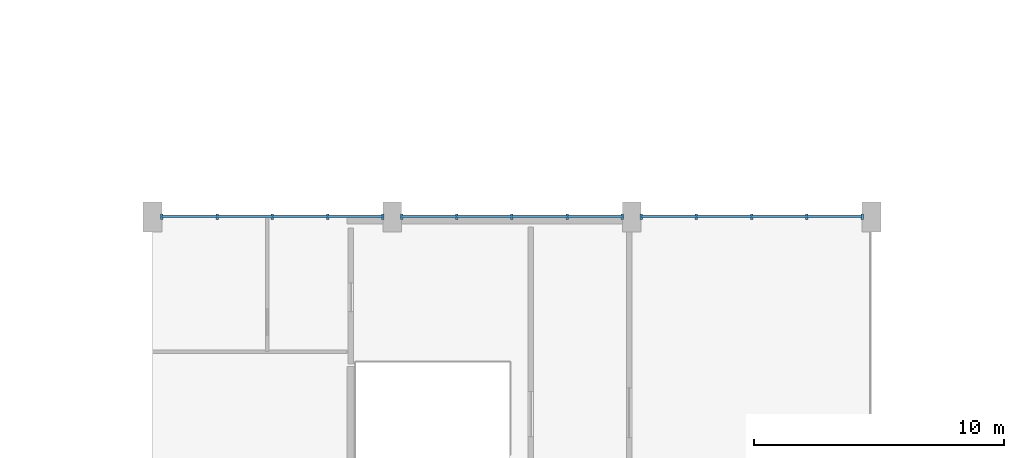
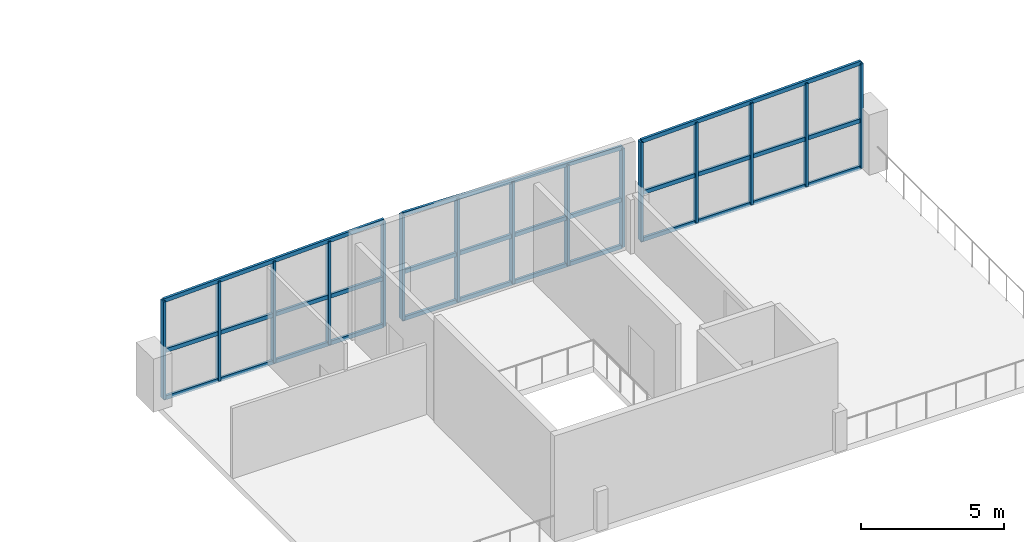
# One storey, part 9 of 22: 42 members, 3 elements without a shape of their own.
"""IFC4 building model written with IfcOpenShell, lengths in metres."""

from ifc_helpers import new_model, si_unit, direction, frame, origin, origin_2d, place, context, subcontext, project, spatial, rectangle, extrude, material, material_profile, profile_set, type_object, element, aggregate, save


model = new_model("IFC4")

# Units and contexts
model_context = context("Model", 3, precision=1e-05, world=origin(), true_north=direction((0.0, 1.0)))
body_context = subcontext(model_context, "Body", "Model", "MODEL_VIEW")
ifc_project = project(units=[si_unit("LENGTHUNIT", "METRE"), si_unit("AREAUNIT", "SQUARE_METRE"), si_unit("VOLUMEUNIT", "CUBIC_METRE"), si_unit("PLANEANGLEUNIT", "RADIAN"), si_unit("MASSUNIT", "GRAM", prefix="KILO")], contexts=[model_context])

# Site, building, storey
site_placement = place(None, origin())
site = spatial("IfcSite", under=ifc_project, at=site_placement, CompositionType="ELEMENT")
building_placement = place(site_placement, origin())
building = spatial("IfcBuilding", under=site, at=building_placement, Name="Suirenkawa Promenade Aquatics Centre", CompositionType="ELEMENT")
storey_placement = place(building_placement, frame((0.0, 0.0, 14.10009765625)))
storey = spatial("IfcBuildingStorey", under=building, at=storey_placement, Name="L03", CompositionType="ELEMENT", Elevation=14.10009765625)

# Curtain wall, members
ifc_material = material(Name="Anodised aluminium 6063-T6", Category="aluminium")
curtain_wall_type = type_object("IfcCurtainWallType", Name="CWAT-V2N-17", PredefinedType="NOTDEFINED", material=ifc_material)
curtain_wall_1_placement = place(storey_placement, origin())
curtain_wall_1 = element("IfcCurtainWall", 1, at=curtain_wall_1_placement, inside=storey, type_object=curtain_wall_type, Name="Curtain wall CWA-17 CW-036", PredefinedType="NOTDEFINED")
ifc_material_profile_1 = material_profile(ifc_material, rectangle(XDim=0.10009765625, YDim=0.219970703125, at=origin_2d()), Name="ALU MULL 100x220", Category="aluminium")
ifc_profile_set_1 = profile_set([ifc_material_profile_1], Name="Anodised aluminium 6063-T6")
member_type_1 = type_object("IfcMemberType", Name="CWM-220x100", PredefinedType="MULLION", material=ifc_profile_set_1)
member_1_placement = place(storey_placement, frame((156.3740234375, 100.800048828125, 0.0), z_axis=(0.0, 0.0, 1.0), x_axis=(1.0, 0.0, 0.0)))
member_1 = element("IfcMember", 2, at=member_1_placement, type_object=member_type_1, Name="Mullion ML-01 CWM-00739", PredefinedType="MULLION", context=body_context, shape_type="SweptSolid", body=[
    extrude(rectangle(XDim=0.10009765625, YDim=0.219970703125, at=origin_2d()), origin(), (0.0, 0.0, 1.0), 4.14990234375),
])
member_2_placement = place(storey_placement, frame((158.5869140625, 100.800048828125, 0.0), z_axis=(0.0, 0.0, 1.0), x_axis=(1.0, 0.0, 0.0)))
member_2 = element("IfcMember", 3, at=member_2_placement, type_object=member_type_1, Name="Mullion ML-01 CWM-00740", PredefinedType="MULLION", context=body_context, shape_type="SweptSolid", body=[
    extrude(rectangle(XDim=0.10009765625, YDim=0.219970703125, at=origin_2d()), origin(), (0.0, 0.0, 1.0), 4.224853515625),
])
member_3_placement = place(storey_placement, frame((160.800048828125, 100.800048828125, 0.0), z_axis=(0.0, 0.0, 1.0), x_axis=(1.0, 0.0, 0.0)))
member_3 = element("IfcMember", 4, at=member_3_placement, type_object=member_type_1, Name="Mullion ML-01 CWM-00741", PredefinedType="MULLION", context=body_context, shape_type="SweptSolid", body=[
    extrude(rectangle(XDim=0.10009765625, YDim=0.219970703125, at=origin_2d()), origin(), (0.0, 0.0, 1.0), 4.2998046875),
])
member_4_placement = place(storey_placement, frame((163.012939453125, 100.800048828125, 0.0), z_axis=(0.0, 0.0, 1.0), x_axis=(1.0, 0.0, 0.0)))
member_4 = element("IfcMember", 5, at=member_4_placement, type_object=member_type_1, Name="Mullion ML-01 CWM-00742", PredefinedType="MULLION", context=body_context, shape_type="SweptSolid", body=[
    extrude(rectangle(XDim=0.10009765625, YDim=0.219970703125, at=origin_2d()), origin(), (0.0, 0.0, 1.0), 4.375),
])
member_5_placement = place(storey_placement, frame((165.22607421875, 100.800048828125, 0.0), z_axis=(0.0, 0.0, 1.0), x_axis=(1.0, 0.0, 0.0)))
member_5 = element("IfcMember", 6, at=member_5_placement, type_object=member_type_1, Name="Mullion ML-01 CWM-00743", PredefinedType="MULLION", context=body_context, shape_type="SweptSolid", body=[
    extrude(rectangle(XDim=0.10009765625, YDim=0.219970703125, at=origin_2d()), origin(), (0.0, 0.0, 1.0), 4.449951171875),
])

curtain_wall_2_placement = place(storey_placement, origin())
curtain_wall_2 = element("IfcCurtainWall", 7, at=curtain_wall_2_placement, inside=storey, type_object=curtain_wall_type, Name="Curtain wall CWA-17 CW-040", PredefinedType="NOTDEFINED")
member_6_placement = place(storey_placement, frame((165.97412109375, 100.800048828125, 0.0), z_axis=(0.0, 0.0, 1.0), x_axis=(1.0, 0.0, 0.0)))
member_6 = element("IfcMember", 8, at=member_6_placement, type_object=member_type_1, Name="Mullion ML-01 CWM-00817", PredefinedType="MULLION", context=body_context, shape_type="SweptSolid", body=[
    extrude(rectangle(XDim=0.10009765625, YDim=0.219970703125, at=origin_2d()), origin(), (0.0, 0.0, 1.0), 4.449951171875),
])
member_7_placement = place(storey_placement, frame((168.18701171875, 100.800048828125, 0.0), z_axis=(0.0, 0.0, 1.0), x_axis=(1.0, 0.0, 0.0)))
member_7 = element("IfcMember", 9, at=member_7_placement, type_object=member_type_1, Name="Mullion ML-01 CWM-00818", PredefinedType="MULLION", context=body_context, shape_type="SweptSolid", body=[
    extrude(rectangle(XDim=0.10009765625, YDim=0.219970703125, at=origin_2d()), origin(), (0.0, 0.0, 1.0), 4.387451171875),
])
member_8_placement = place(storey_placement, frame((170.39990234375, 100.800048828125, 0.0), z_axis=(0.0, 0.0, 1.0), x_axis=(1.0, 0.0, 0.0)))
member_8 = element("IfcMember", 10, at=member_8_placement, type_object=member_type_1, Name="Mullion ML-01 CWM-00819", PredefinedType="MULLION", context=body_context, shape_type="SweptSolid", body=[
    extrude(rectangle(XDim=0.10009765625, YDim=0.219970703125, at=origin_2d()), origin(), (0.0, 0.0, 1.0), 4.324951171875),
])
member_9_placement = place(storey_placement, frame((172.613037109375, 100.800048828125, 0.0), z_axis=(0.0, 0.0, 1.0), x_axis=(1.0, 0.0, 0.0)))
member_9 = element("IfcMember", 11, at=member_9_placement, type_object=member_type_1, Name="Mullion ML-01 CWM-00820", PredefinedType="MULLION", context=body_context, shape_type="SweptSolid", body=[
    extrude(rectangle(XDim=0.10009765625, YDim=0.219970703125, at=origin_2d()), origin(), (0.0, 0.0, 1.0), 4.262451171875),
])
member_10_placement = place(storey_placement, frame((174.825927734375, 100.800048828125, 0.0), z_axis=(0.0, 0.0, 1.0), x_axis=(1.0, 0.0, 0.0)))
member_10 = element("IfcMember", 12, at=member_10_placement, type_object=member_type_1, Name="Mullion ML-01 CWM-00821", PredefinedType="MULLION", context=body_context, shape_type="SweptSolid", body=[
    extrude(rectangle(XDim=0.10009765625, YDim=0.219970703125, at=origin_2d()), origin(), (0.0, 0.0, 1.0), 4.199951171875),
])

curtain_wall_3_placement = place(storey_placement, origin())
curtain_wall_3 = element("IfcCurtainWall", 13, at=curtain_wall_3_placement, inside=storey, type_object=curtain_wall_type, Name="Curtain wall CWA-17 CW-042", PredefinedType="NOTDEFINED")
member_11_placement = place(storey_placement, frame((175.573974609375, 100.800048828125, 0.0), z_axis=(0.0, 0.0, 1.0), x_axis=(1.0, 0.0, 0.0)))
member_11 = element("IfcMember", 14, at=member_11_placement, type_object=member_type_1, Name="Mullion ML-01 CWM-00861", PredefinedType="MULLION", context=body_context, shape_type="SweptSolid", body=[
    extrude(rectangle(XDim=0.10009765625, YDim=0.219970703125, at=origin_2d()), origin(), (0.0, 0.0, 1.0), 4.199951171875),
])
member_12_placement = place(storey_placement, frame((177.787109375, 100.800048828125, 0.0), z_axis=(0.0, 0.0, 1.0), x_axis=(1.0, 0.0, 0.0)))
member_12 = element("IfcMember", 15, at=member_12_placement, type_object=member_type_1, Name="Mullion ML-01 CWM-00862", PredefinedType="MULLION", context=body_context, shape_type="SweptSolid", body=[
    extrude(rectangle(XDim=0.10009765625, YDim=0.219970703125, at=origin_2d()), origin(), (0.0, 0.0, 1.0), 4.262451171875),
])
member_13_placement = place(storey_placement, frame((180.0, 100.800048828125, 0.0), z_axis=(0.0, 0.0, 1.0), x_axis=(1.0, 0.0, 0.0)))
member_13 = element("IfcMember", 16, at=member_13_placement, type_object=member_type_1, Name="Mullion ML-01 CWM-00863", PredefinedType="MULLION", context=body_context, shape_type="SweptSolid", body=[
    extrude(rectangle(XDim=0.10009765625, YDim=0.219970703125, at=origin_2d()), origin(), (0.0, 0.0, 1.0), 4.324951171875),
])
member_14_placement = place(storey_placement, frame((182.212890625, 100.800048828125, 0.0), z_axis=(0.0, 0.0, 1.0), x_axis=(1.0, 0.0, 0.0)))
member_14 = element("IfcMember", 17, at=member_14_placement, type_object=member_type_1, Name="Mullion ML-01 CWM-00864", PredefinedType="MULLION", context=body_context, shape_type="SweptSolid", body=[
    extrude(rectangle(XDim=0.10009765625, YDim=0.219970703125, at=origin_2d()), origin(), (0.0, 0.0, 1.0), 4.387451171875),
])
member_15_placement = place(storey_placement, frame((184.426025390625, 100.800048828125, 0.0), z_axis=(0.0, 0.0, 1.0), x_axis=(1.0, 0.0, 0.0)))
member_15 = element("IfcMember", 18, at=member_15_placement, type_object=member_type_1, Name="Mullion ML-01 CWM-00865", PredefinedType="MULLION", context=body_context, shape_type="SweptSolid", body=[
    extrude(rectangle(XDim=0.10009765625, YDim=0.219970703125, at=origin_2d()), origin(), (0.0, 0.0, 1.0), 4.449951171875),
])

# Member
ifc_material_profile_2 = material_profile(ifc_material, rectangle(XDim=0.10009765625, YDim=0.169921875, at=origin_2d()), Name="ALU TRAN 100x170", Category="aluminium")
ifc_profile_set_2 = profile_set([ifc_material_profile_2], Name="Anodised aluminium 6063-T6")
member_type_2 = type_object("IfcMemberType", Name="CWT-170x100", PredefinedType="USERDEFINED", material=ifc_profile_set_2)
member_16_placement = place(storey_placement, frame((156.3740234375, 100.800048828125, 0.0), z_axis=(1.0, 0.0, 0.0), x_axis=(0.0, 1.0, 0.0)))
member_16 = element("IfcMember", 19, at=member_16_placement, type_object=member_type_2, Name="Transom TR-01 CWT-00744", ObjectType="TRANSOM", PredefinedType="USERDEFINED", context=body_context, shape_type="SweptSolid", body=[
    extrude(rectangle(XDim=0.10009765625, YDim=0.169921875, at=origin_2d()), origin(), (0.0, 0.0, 1.0), 2.212890625),
])

member_17_placement = place(storey_placement, frame((158.5869140625, 100.800048828125, 0.0), z_axis=(1.0, 0.0, 0.0), x_axis=(0.0, 1.0, 0.0)))
member_17 = element("IfcMember", 20, at=member_17_placement, type_object=member_type_2, Name="Transom TR-01 CWT-00745", ObjectType="TRANSOM", PredefinedType="USERDEFINED", context=body_context, shape_type="SweptSolid", body=[
    extrude(rectangle(XDim=0.10009765625, YDim=0.169921875, at=origin_2d()), origin(), (0.0, 0.0, 1.0), 2.213134765625),
])

member_18_placement = place(storey_placement, frame((160.800048828125, 100.800048828125, 0.0), z_axis=(1.0, 0.0, 0.0), x_axis=(0.0, 1.0, 0.0)))
member_18 = element("IfcMember", 21, at=member_18_placement, type_object=member_type_2, Name="Transom TR-01 CWT-00746", ObjectType="TRANSOM", PredefinedType="USERDEFINED", context=body_context, shape_type="SweptSolid", body=[
    extrude(rectangle(XDim=0.10009765625, YDim=0.169921875, at=origin_2d()), origin(), (0.0, 0.0, 1.0), 2.212890625),
])

member_19_placement = place(storey_placement, frame((163.012939453125, 100.800048828125, 0.0), z_axis=(1.0, 0.0, 0.0), x_axis=(0.0, 1.0, 0.0)))
member_19 = element("IfcMember", 22, at=member_19_placement, type_object=member_type_2, Name="Transom TR-01 CWT-00747", ObjectType="TRANSOM", PredefinedType="USERDEFINED", context=body_context, shape_type="SweptSolid", body=[
    extrude(rectangle(XDim=0.10009765625, YDim=0.169921875, at=origin_2d()), origin(), (0.0, 0.0, 1.0), 2.213134765625),
])

member_20_placement = place(storey_placement, frame((156.3740234375, 100.800048828125, 2.0), z_axis=(1.0, 0.0, 0.0), x_axis=(0.0, 1.0, 0.0)))
member_20 = element("IfcMember", 23, at=member_20_placement, type_object=member_type_2, Name="Transom TR-01 CWT-00748", ObjectType="TRANSOM", PredefinedType="USERDEFINED", context=body_context, shape_type="SweptSolid", body=[
    extrude(rectangle(XDim=0.10009765625, YDim=0.169921875, at=origin_2d()), origin(), (0.0, 0.0, 1.0), 2.212890625),
])

member_21_placement = place(storey_placement, frame((158.5869140625, 100.800048828125, 2.0), z_axis=(1.0, 0.0, 0.0), x_axis=(0.0, 1.0, 0.0)))
member_21 = element("IfcMember", 24, at=member_21_placement, type_object=member_type_2, Name="Transom TR-01 CWT-00749", ObjectType="TRANSOM", PredefinedType="USERDEFINED", context=body_context, shape_type="SweptSolid", body=[
    extrude(rectangle(XDim=0.10009765625, YDim=0.169921875, at=origin_2d()), origin(), (0.0, 0.0, 1.0), 2.213134765625),
])

member_22_placement = place(storey_placement, frame((160.800048828125, 100.800048828125, 2.0), z_axis=(1.0, 0.0, 0.0), x_axis=(0.0, 1.0, 0.0)))
member_22 = element("IfcMember", 25, at=member_22_placement, type_object=member_type_2, Name="Transom TR-01 CWT-00750", ObjectType="TRANSOM", PredefinedType="USERDEFINED", context=body_context, shape_type="SweptSolid", body=[
    extrude(rectangle(XDim=0.10009765625, YDim=0.169921875, at=origin_2d()), origin(), (0.0, 0.0, 1.0), 2.212890625),
])

member_23_placement = place(storey_placement, frame((163.012939453125, 100.800048828125, 2.0), z_axis=(1.0, 0.0, 0.0), x_axis=(0.0, 1.0, 0.0)))
member_23 = element("IfcMember", 26, at=member_23_placement, type_object=member_type_2, Name="Transom TR-01 CWT-00751", ObjectType="TRANSOM", PredefinedType="USERDEFINED", context=body_context, shape_type="SweptSolid", body=[
    extrude(rectangle(XDim=0.10009765625, YDim=0.169921875, at=origin_2d()), origin(), (0.0, 0.0, 1.0), 2.213134765625),
])

member_24_placement = place(storey_placement, frame((156.3740234375, 100.800048828125, 4.14990234375), z_axis=(0.999426026231, 0.0, 0.03387651239), x_axis=(0.0, 1.0, 0.0)))
member_24 = element("IfcMember", 27, at=member_24_placement, type_object=member_type_2, Name="Roofline transom TR-01 CWT-00752", ObjectType="TRANSOM", PredefinedType="USERDEFINED", context=body_context, shape_type="SweptSolid", body=[
    extrude(rectangle(XDim=0.10009765625, YDim=0.169921875, at=origin_2d()), origin(), (0.0, 0.0, 1.0), 8.857177734375),
])

aggregate(curtain_wall_1, [member_1, member_2, member_3, member_4, member_5, member_16, member_17, member_18, member_19, member_20, member_21, member_22, member_23, member_24])

member_25_placement = place(storey_placement, frame((165.97412109375, 100.800048828125, 0.0), z_axis=(1.0, 0.0, 0.0), x_axis=(0.0, 1.0, 0.0)))
member_25 = element("IfcMember", 28, at=member_25_placement, type_object=member_type_2, Name="Transom TR-01 CWT-00822", ObjectType="TRANSOM", PredefinedType="USERDEFINED", context=body_context, shape_type="SweptSolid", body=[
    extrude(rectangle(XDim=0.10009765625, YDim=0.169921875, at=origin_2d()), origin(), (0.0, 0.0, 1.0), 2.212890625),
])

member_26_placement = place(storey_placement, frame((168.18701171875, 100.800048828125, 0.0), z_axis=(1.0, 0.0, 0.0), x_axis=(0.0, 1.0, 0.0)))
member_26 = element("IfcMember", 29, at=member_26_placement, type_object=member_type_2, Name="Transom TR-01 CWT-00823", ObjectType="TRANSOM", PredefinedType="USERDEFINED", context=body_context, shape_type="SweptSolid", body=[
    extrude(rectangle(XDim=0.10009765625, YDim=0.169921875, at=origin_2d()), origin(), (0.0, 0.0, 1.0), 2.212890625),
])

member_27_placement = place(storey_placement, frame((170.39990234375, 100.800048828125, 0.0), z_axis=(1.0, 0.0, 0.0), x_axis=(0.0, 1.0, 0.0)))
member_27 = element("IfcMember", 30, at=member_27_placement, type_object=member_type_2, Name="Transom TR-01 CWT-00824", ObjectType="TRANSOM", PredefinedType="USERDEFINED", context=body_context, shape_type="SweptSolid", body=[
    extrude(rectangle(XDim=0.10009765625, YDim=0.169921875, at=origin_2d()), origin(), (0.0, 0.0, 1.0), 2.213134765625),
])

member_28_placement = place(storey_placement, frame((172.613037109375, 100.800048828125, 0.0), z_axis=(1.0, 0.0, 0.0), x_axis=(0.0, 1.0, 0.0)))
member_28 = element("IfcMember", 31, at=member_28_placement, type_object=member_type_2, Name="Transom TR-01 CWT-00825", ObjectType="TRANSOM", PredefinedType="USERDEFINED", context=body_context, shape_type="SweptSolid", body=[
    extrude(rectangle(XDim=0.10009765625, YDim=0.169921875, at=origin_2d()), origin(), (0.0, 0.0, 1.0), 2.212890625),
])

member_29_placement = place(storey_placement, frame((165.97412109375, 100.800048828125, 2.0), z_axis=(1.0, 0.0, 0.0), x_axis=(0.0, 1.0, 0.0)))
member_29 = element("IfcMember", 32, at=member_29_placement, type_object=member_type_2, Name="Transom TR-01 CWT-00826", ObjectType="TRANSOM", PredefinedType="USERDEFINED", context=body_context, shape_type="SweptSolid", body=[
    extrude(rectangle(XDim=0.10009765625, YDim=0.169921875, at=origin_2d()), origin(), (0.0, 0.0, 1.0), 2.212890625),
])

member_30_placement = place(storey_placement, frame((168.18701171875, 100.800048828125, 2.0), z_axis=(1.0, 0.0, 0.0), x_axis=(0.0, 1.0, 0.0)))
member_30 = element("IfcMember", 33, at=member_30_placement, type_object=member_type_2, Name="Transom TR-01 CWT-00827", ObjectType="TRANSOM", PredefinedType="USERDEFINED", context=body_context, shape_type="SweptSolid", body=[
    extrude(rectangle(XDim=0.10009765625, YDim=0.169921875, at=origin_2d()), origin(), (0.0, 0.0, 1.0), 2.212890625),
])

member_31_placement = place(storey_placement, frame((170.39990234375, 100.800048828125, 2.0), z_axis=(1.0, 0.0, 0.0), x_axis=(0.0, 1.0, 0.0)))
member_31 = element("IfcMember", 34, at=member_31_placement, type_object=member_type_2, Name="Transom TR-01 CWT-00828", ObjectType="TRANSOM", PredefinedType="USERDEFINED", context=body_context, shape_type="SweptSolid", body=[
    extrude(rectangle(XDim=0.10009765625, YDim=0.169921875, at=origin_2d()), origin(), (0.0, 0.0, 1.0), 2.213134765625),
])

member_32_placement = place(storey_placement, frame((172.613037109375, 100.800048828125, 2.0), z_axis=(1.0, 0.0, 0.0), x_axis=(0.0, 1.0, 0.0)))
member_32 = element("IfcMember", 35, at=member_32_placement, type_object=member_type_2, Name="Transom TR-01 CWT-00829", ObjectType="TRANSOM", PredefinedType="USERDEFINED", context=body_context, shape_type="SweptSolid", body=[
    extrude(rectangle(XDim=0.10009765625, YDim=0.169921875, at=origin_2d()), origin(), (0.0, 0.0, 1.0), 2.212890625),
])

member_33_placement = place(storey_placement, frame((165.97412109375, 100.800048828125, 4.449951171875), z_axis=(0.999601409938, 0.0, -0.028231564768), x_axis=(0.0, 1.0, 0.0)))
member_33 = element("IfcMember", 36, at=member_33_placement, type_object=member_type_2, Name="Roofline transom TR-01 CWT-00830", ObjectType="TRANSOM", PredefinedType="USERDEFINED", context=body_context, shape_type="SweptSolid", body=[
    extrude(rectangle(XDim=0.10009765625, YDim=0.169921875, at=origin_2d()), origin(), (0.0, 0.0, 1.0), 8.855224609375),
])

aggregate(curtain_wall_2, [member_6, member_7, member_8, member_9, member_10, member_25, member_26, member_27, member_28, member_29, member_30, member_31, member_32, member_33])

member_34_placement = place(storey_placement, frame((175.573974609375, 100.800048828125, 0.0), z_axis=(1.0, 0.0, 0.0), x_axis=(0.0, 1.0, 0.0)))
member_34 = element("IfcMember", 37, at=member_34_placement, type_object=member_type_2, Name="Transom TR-01 CWT-00866", ObjectType="TRANSOM", PredefinedType="USERDEFINED", context=body_context, shape_type="SweptSolid", body=[
    extrude(rectangle(XDim=0.10009765625, YDim=0.169921875, at=origin_2d()), origin(), (0.0, 0.0, 1.0), 2.213134765625),
])

member_35_placement = place(storey_placement, frame((177.787109375, 100.800048828125, 0.0), z_axis=(1.0, 0.0, 0.0), x_axis=(0.0, 1.0, 0.0)))
member_35 = element("IfcMember", 38, at=member_35_placement, type_object=member_type_2, Name="Transom TR-01 CWT-00867", ObjectType="TRANSOM", PredefinedType="USERDEFINED", context=body_context, shape_type="SweptSolid", body=[
    extrude(rectangle(XDim=0.10009765625, YDim=0.169921875, at=origin_2d()), origin(), (0.0, 0.0, 1.0), 2.212890625),
])

member_36_placement = place(storey_placement, frame((180.0, 100.800048828125, 0.0), z_axis=(1.0, 0.0, 0.0), x_axis=(0.0, 1.0, 0.0)))
member_36 = element("IfcMember", 39, at=member_36_placement, type_object=member_type_2, Name="Transom TR-01 CWT-00868", ObjectType="TRANSOM", PredefinedType="USERDEFINED", context=body_context, shape_type="SweptSolid", body=[
    extrude(rectangle(XDim=0.10009765625, YDim=0.169921875, at=origin_2d()), origin(), (0.0, 0.0, 1.0), 2.212890625),
])

member_37_placement = place(storey_placement, frame((182.212890625, 100.800048828125, 0.0), z_axis=(1.0, 0.0, 0.0), x_axis=(0.0, 1.0, 0.0)))
member_37 = element("IfcMember", 40, at=member_37_placement, type_object=member_type_2, Name="Transom TR-01 CWT-00869", ObjectType="TRANSOM", PredefinedType="USERDEFINED", context=body_context, shape_type="SweptSolid", body=[
    extrude(rectangle(XDim=0.10009765625, YDim=0.169921875, at=origin_2d()), origin(), (0.0, 0.0, 1.0), 2.213134765625),
])

member_38_placement = place(storey_placement, frame((175.573974609375, 100.800048828125, 2.0), z_axis=(1.0, 0.0, 0.0), x_axis=(0.0, 1.0, 0.0)))
member_38 = element("IfcMember", 41, at=member_38_placement, type_object=member_type_2, Name="Transom TR-01 CWT-00870", ObjectType="TRANSOM", PredefinedType="USERDEFINED", context=body_context, shape_type="SweptSolid", body=[
    extrude(rectangle(XDim=0.10009765625, YDim=0.169921875, at=origin_2d()), origin(), (0.0, 0.0, 1.0), 2.213134765625),
])

member_39_placement = place(storey_placement, frame((177.787109375, 100.800048828125, 2.0), z_axis=(1.0, 0.0, 0.0), x_axis=(0.0, 1.0, 0.0)))
member_39 = element("IfcMember", 42, at=member_39_placement, type_object=member_type_2, Name="Transom TR-01 CWT-00871", ObjectType="TRANSOM", PredefinedType="USERDEFINED", context=body_context, shape_type="SweptSolid", body=[
    extrude(rectangle(XDim=0.10009765625, YDim=0.169921875, at=origin_2d()), origin(), (0.0, 0.0, 1.0), 2.212890625),
])

member_40_placement = place(storey_placement, frame((180.0, 100.800048828125, 2.0), z_axis=(1.0, 0.0, 0.0), x_axis=(0.0, 1.0, 0.0)))
member_40 = element("IfcMember", 43, at=member_40_placement, type_object=member_type_2, Name="Transom TR-01 CWT-00872", ObjectType="TRANSOM", PredefinedType="USERDEFINED", context=body_context, shape_type="SweptSolid", body=[
    extrude(rectangle(XDim=0.10009765625, YDim=0.169921875, at=origin_2d()), origin(), (0.0, 0.0, 1.0), 2.212890625),
])

member_41_placement = place(storey_placement, frame((182.212890625, 100.800048828125, 2.0), z_axis=(1.0, 0.0, 0.0), x_axis=(0.0, 1.0, 0.0)))
member_41 = element("IfcMember", 44, at=member_41_placement, type_object=member_type_2, Name="Transom TR-01 CWT-00873", ObjectType="TRANSOM", PredefinedType="USERDEFINED", context=body_context, shape_type="SweptSolid", body=[
    extrude(rectangle(XDim=0.10009765625, YDim=0.169921875, at=origin_2d()), origin(), (0.0, 0.0, 1.0), 2.213134765625),
])

member_42_placement = place(storey_placement, frame((175.573974609375, 100.800048828125, 4.199951171875), z_axis=(0.999601431911, 0.0, 0.028230786758), x_axis=(0.0, 1.0, 0.0)))
member_42 = element("IfcMember", 45, at=member_42_placement, type_object=member_type_2, Name="Roofline transom TR-01 CWT-00874", ObjectType="TRANSOM", PredefinedType="USERDEFINED", context=body_context, shape_type="SweptSolid", body=[
    extrude(rectangle(XDim=0.10009765625, YDim=0.169921875, at=origin_2d()), origin(), (0.0, 0.0, 1.0), 8.85546875),
])

aggregate(curtain_wall_3, [member_11, member_12, member_13, member_14, member_15, member_34, member_35, member_36, member_37, member_38, member_39, member_40, member_41, member_42])

save(model, "model.ifc")
